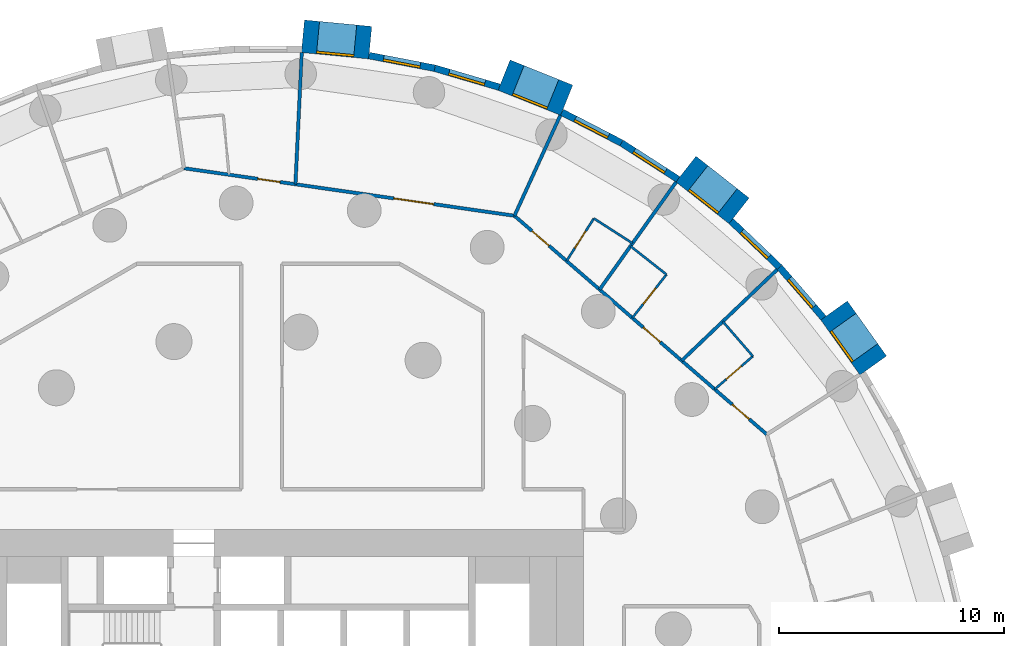
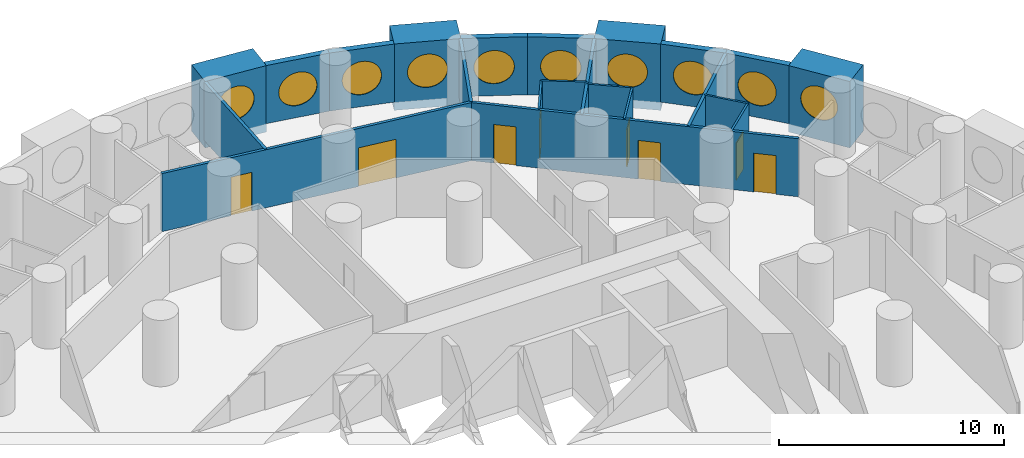
# One storey, part 10 of 12: 22 walls, 10 windows, 8 doors, 18 openings.
"""IFC4 building model written with IfcOpenShell, lengths in metres."""

from ifc_helpers import new_model, si_unit, direction, frame, frame_2d, origin, origin_2d, place, context, subcontext, project, spatial, rectangle, circle, extrude, material, layer, layer_set, type_object, element, fill, save


model = new_model("IFC4")

# Units and contexts
model_context = context("Model", 3, precision=1e-05, world=origin(), true_north=direction((0.0, 1.0)))
body_context = subcontext(model_context, "Body", "Model", "MODEL_VIEW")
ifc_project = project(units=[si_unit("LENGTHUNIT", "METRE"), si_unit("AREAUNIT", "SQUARE_METRE"), si_unit("VOLUMEUNIT", "CUBIC_METRE"), si_unit("PLANEANGLEUNIT", "RADIAN"), si_unit("MASSUNIT", "GRAM", prefix="KILO")], contexts=[model_context])

# Site, building, storey
site_placement = place(None, origin())
site = spatial("IfcSite", under=ifc_project, at=site_placement, CompositionType="ELEMENT")
building_placement = place(site_placement, origin())
building = spatial("IfcBuilding", under=site, at=building_placement, Name="Tracery Tower", CompositionType="ELEMENT")
storey_placement = place(building_placement, frame((0.0, 0.0, 31.800048828125)))
storey = spatial("IfcBuildingStorey", under=building, at=storey_placement, Name="L06", CompositionType="ELEMENT", Elevation=31.800048828125)

# Wall, opening, window
ifc_material_1 = material(Name="Precast concrete C50/60", Category="concrete")
ifc_layer_1 = layer(ifc_material_1, 1.449951171875)
ifc_layer_set_1 = layer_set([ifc_layer_1], Name="Deep-set bay unit 3000 x 3600, slab edge 450")
wall_type_1 = type_object("IfcWallType", Name="Deep-set bay unit 3000 x 3600, slab edge 450", PredefinedType="ELEMENTEDWALL", material=ifc_layer_set_1)
wall_1_placement = place(storey_placement, frame((26.866455078125, 17.2900390625, -0.449951171875), z_axis=(0.0, 0.0, 1.0), x_axis=(-0.580090570606, 0.814551981088, 0.0)))
wall_1 = element("IfcWall", 1, at=wall_1_placement, inside=storey, type_object=wall_type_1, Name="Deep-set bay unit 7 at L06", PredefinedType="ELEMENTEDWALL", context=body_context, shape_type="SweptSolid", body=[
    extrude(rectangle(XDim=3.0, YDim=1.449951171875, at=frame_2d((1.5, 0.0))), origin(), (0.0, 0.0, 1.0), 3.599853515625),
])
opening_1_placement = place(wall_1_placement, frame((1.5, 0.0, 2.0)))
opening_1 = element("IfcOpeningElement", 2, at=opening_1_placement, cuts=wall_1, Name="Opening WN1", PredefinedType="OPENING", context=body_context, shape_type="SweptSolid", body=[
    extrude(circle(Radius=0.9000244140625, at=origin_2d()), frame((0.0, 0.73486328125, 0.0), z_axis=(0.0, -1.0, 0.0), x_axis=(1.0, 0.0, 0.0)), (0.0, 0.0, 1.0), 1.469970703125),
])
ifc_material_2 = material(Name="Aluminium frame with tinted double glazing", Category="aluminium")
window_type = type_object("IfcWindowType", Name="Round window 1800", PartitioningType="SINGLE_PANEL", PredefinedType="WINDOW", material=ifc_material_2)
window_1_placement = place(opening_1_placement, origin())
window_1 = element("IfcWindow", 3, at=window_1_placement, inside=storey, type_object=window_type, Name="Round window 7 at L06", OverallHeight=1.800048828125, OverallWidth=1.800048828125, PartitioningType="SINGLE_PANEL", PredefinedType="WINDOW", context=body_context, shape_type="SweptSolid", body=[
    extrude(circle(Radius=0.9000244140625, at=origin_2d()), frame((0.0, 0.69482421875, 0.0), z_axis=(0.0, -1.0, 0.0), x_axis=(1.0, 0.0, 0.0)), (0.0, 0.0, 1.0), 0.10009765625),
])
fill(opening_1, window_1)

wall_2_placement = place(storey_placement, frame((20.906982421875, 24.15869140625, -0.449951171875), z_axis=(0.0, 0.0, 1.0), x_axis=(-0.786049992888, 0.618162930529, 0.0)))
wall_2 = element("IfcWall", 4, at=wall_2_placement, inside=storey, type_object=wall_type_1, Name="Deep-set bay unit 10 at L06", PredefinedType="ELEMENTEDWALL", context=body_context, shape_type="SweptSolid", body=[
    extrude(rectangle(XDim=3.0, YDim=1.449951171875, at=frame_2d((1.5, 0.0))), origin(), (0.0, 0.0, 1.0), 3.599853515625),
])
opening_2_placement = place(wall_2_placement, frame((1.5, 0.0, 2.0)))
opening_2 = element("IfcOpeningElement", 5, at=opening_2_placement, cuts=wall_2, Name="Opening WN1", PredefinedType="OPENING", context=body_context, shape_type="SweptSolid", body=[
    extrude(circle(Radius=0.9000244140625, at=origin_2d()), frame((0.0, 0.73486328125, 0.0), z_axis=(0.0, -1.0, 0.0), x_axis=(1.0, 0.0, 0.0)), (0.0, 0.0, 1.0), 1.469970703125),
])
window_2_placement = place(opening_2_placement, origin())
window_2 = element("IfcWindow", 6, at=window_2_placement, inside=storey, type_object=window_type, Name="Round window 10 at L06", OverallHeight=1.800048828125, OverallWidth=1.800048828125, PartitioningType="SINGLE_PANEL", PredefinedType="WINDOW", context=body_context, shape_type="SweptSolid", body=[
    extrude(circle(Radius=0.9000244140625, at=origin_2d()), frame((0.0, 0.69482421875, 0.0), z_axis=(0.0, -1.0, 0.0), x_axis=(1.0, 0.0, 0.0)), (0.0, 0.0, 1.0), 0.10009765625),
])
fill(opening_2, window_2)

wall_3_placement = place(storey_placement, frame((13.253662109375, 29.0703125, -0.449951171875), z_axis=(0.0, 0.0, 1.0), x_axis=(-0.928358776184, 0.371685327504, 0.0)))
wall_3 = element("IfcWall", 7, at=wall_3_placement, inside=storey, type_object=wall_type_1, Name="Deep-set bay unit 13 at L06", PredefinedType="ELEMENTEDWALL", context=body_context, shape_type="SweptSolid", body=[
    extrude(rectangle(XDim=2.999755859375, YDim=1.449951171875, at=frame_2d((1.5, 0.0))), origin(), (0.0, 0.0, 1.0), 3.599853515625),
])
opening_3_placement = place(wall_3_placement, frame((1.5, 0.0, 2.0)))
opening_3 = element("IfcOpeningElement", 8, at=opening_3_placement, cuts=wall_3, Name="Opening WN1", PredefinedType="OPENING", context=body_context, shape_type="SweptSolid", body=[
    extrude(circle(Radius=0.9000244140625, at=origin_2d()), frame((0.0, 0.73486328125, 0.0), z_axis=(0.0, -1.0, 0.0), x_axis=(1.0, 0.0, 0.0)), (0.0, 0.0, 1.0), 1.469970703125),
])
window_3_placement = place(opening_3_placement, origin())
window_3 = element("IfcWindow", 9, at=window_3_placement, inside=storey, type_object=window_type, Name="Round window 13 at L06", OverallHeight=1.800048828125, OverallWidth=1.800048828125, PartitioningType="SINGLE_PANEL", PredefinedType="WINDOW", context=body_context, shape_type="SweptSolid", body=[
    extrude(circle(Radius=0.9000244140625, at=origin_2d()), frame((0.0, 0.69482421875, 0.0), z_axis=(0.0, -1.0, 0.0), x_axis=(1.0, 0.0, 0.0)), (0.0, 0.0, 1.0), 0.10009765625),
])
fill(opening_3, window_3)

wall_4_placement = place(storey_placement, frame((4.52685546875, 31.626708984375, -0.449951171875), z_axis=(0.0, 0.0, 1.0), x_axis=(-0.995472768558, 0.09504718333, 0.0)))
wall_4 = element("IfcWall", 10, at=wall_4_placement, inside=storey, type_object=wall_type_1, Name="Deep-set bay unit 16 at L06", PredefinedType="ELEMENTEDWALL", context=body_context, shape_type="SweptSolid", body=[
    extrude(rectangle(XDim=3.000244140625, YDim=1.449951171875, at=frame_2d((1.5, 0.0))), origin(), (0.0, 0.0, 1.0), 3.599853515625),
])
opening_4_placement = place(wall_4_placement, frame((1.5, 0.0, 2.0)))
opening_4 = element("IfcOpeningElement", 11, at=opening_4_placement, cuts=wall_4, Name="Opening WN1", PredefinedType="OPENING", context=body_context, shape_type="SweptSolid", body=[
    extrude(circle(Radius=0.9000244140625, at=origin_2d()), frame((0.0, 0.73486328125, 0.0), z_axis=(0.0, -1.0, 0.0), x_axis=(1.0, 0.0, 0.0)), (0.0, 0.0, 1.0), 1.469970703125),
])
window_4_placement = place(opening_4_placement, origin())
window_4 = element("IfcWindow", 12, at=window_4_placement, inside=storey, type_object=window_type, Name="Round window 16 at L06", OverallHeight=1.800048828125, OverallWidth=1.800048828125, PartitioningType="SINGLE_PANEL", PredefinedType="WINDOW", context=body_context, shape_type="SweptSolid", body=[
    extrude(circle(Radius=0.9000244140625, at=origin_2d()), frame((0.0, 0.69482421875, 0.0), z_axis=(0.0, -1.0, 0.0), x_axis=(1.0, 0.0, 0.0)), (0.0, 0.0, 1.0), 0.10009765625),
])
fill(opening_4, window_4)

ifc_material_3 = material(Name="Precast concrete C50/60", Category="concrete")
ifc_layer_2 = layer(ifc_material_3, 0.300048828125)
ifc_layer_set_2 = layer_set([ifc_layer_2], Name="Facade panel 3000 x 3150")
wall_type_2 = type_object("IfcWallType", Name="Facade panel 3000 x 3150", PredefinedType="SOLIDWALL", material=ifc_layer_set_2)
wall_5_placement = place(storey_placement, frame((24.657958984375, 19.39892578125, 0.0), z_axis=(0.0, 0.0, 1.0), x_axis=(-0.654830712471, 0.755775587066, 0.0)))
wall_5 = element("IfcWall", 13, at=wall_5_placement, inside=storey, type_object=wall_type_2, Name="Facade panel 8 at L06", PredefinedType="SOLIDWALL", context=body_context, shape_type="SweptSolid", body=[
    extrude(rectangle(XDim=2.979736328125, YDim=0.300048828125, at=frame_2d((1.48974609375, 0.0))), origin(), (0.0, 0.0, 1.0), 3.14990234375),
])
opening_5_placement = place(wall_5_placement, frame((1.48974609375, 0.0, 1.5498046875)))
opening_5 = element("IfcOpeningElement", 14, at=opening_5_placement, cuts=wall_5, Name="Opening WN1", PredefinedType="OPENING", context=body_context, shape_type="SweptSolid", body=[
    extrude(circle(Radius=0.9000244140625, at=origin_2d()), frame((0.0, 0.159912109375, 0.0), z_axis=(0.0, -1.0, 0.0), x_axis=(1.0, 0.0, 0.0)), (0.0, 0.0, 1.0), 0.320068359375),
])
window_5_placement = place(opening_5_placement, origin())
window_5 = element("IfcWindow", 15, at=window_5_placement, inside=storey, type_object=window_type, Name="Round window 8 at L06", OverallHeight=1.800048828125, OverallWidth=1.800048828125, PartitioningType="SINGLE_PANEL", PredefinedType="WINDOW", context=body_context, shape_type="SweptSolid", body=[
    extrude(circle(Radius=0.9000244140625, at=origin_2d()), frame((0.0, 0.1201171875, 0.0), z_axis=(0.0, -1.0, 0.0), x_axis=(1.0, 0.0, 0.0)), (0.0, 0.0, 1.0), 0.10009765625),
])
fill(opening_5, window_5)

wall_6_placement = place(storey_placement, frame((22.706787109375, 21.65087890625, 0.0), z_axis=(0.0, 0.0, 1.0), x_axis=(-0.723744206617, 0.690068346896, 0.0)))
wall_6 = element("IfcWall", 16, at=wall_6_placement, inside=storey, type_object=wall_type_2, Name="Facade panel 9 at L06", PredefinedType="SOLIDWALL", context=body_context, shape_type="SweptSolid", body=[
    extrude(rectangle(XDim=2.979736328125, YDim=0.300048828125, at=frame_2d((1.48974609375, 0.0))), origin(), (0.0, 0.0, 1.0), 3.14990234375),
])
opening_6_placement = place(wall_6_placement, frame((1.48974609375, 0.0, 1.5498046875)))
opening_6 = element("IfcOpeningElement", 17, at=opening_6_placement, cuts=wall_6, Name="Opening WN1", PredefinedType="OPENING", context=body_context, shape_type="SweptSolid", body=[
    extrude(circle(Radius=0.9000244140625, at=origin_2d()), frame((0.0, 0.159912109375, 0.0), z_axis=(0.0, -1.0, 0.0), x_axis=(1.0, 0.0, 0.0)), (0.0, 0.0, 1.0), 0.320068359375),
])
window_6_placement = place(opening_6_placement, origin())
window_6 = element("IfcWindow", 18, at=window_6_placement, inside=storey, type_object=window_type, Name="Round window 9 at L06", OverallHeight=1.800048828125, OverallWidth=1.800048828125, PartitioningType="SINGLE_PANEL", PredefinedType="WINDOW", context=body_context, shape_type="SweptSolid", body=[
    extrude(circle(Radius=0.9000244140625, at=origin_2d()), frame((0.0, 0.1201171875, 0.0), z_axis=(0.0, -1.0, 0.0), x_axis=(1.0, 0.0, 0.0)), (0.0, 0.0, 1.0), 0.10009765625),
])
fill(opening_6, window_6)

wall_7_placement = place(storey_placement, frame((18.19384765625, 25.56005859375, 0.0), z_axis=(0.0, 0.0, 1.0), x_axis=(-0.84122372879, 0.540687190639, 0.0)))
wall_7 = element("IfcWall", 19, at=wall_7_placement, inside=storey, type_object=wall_type_2, Name="Facade panel 11 at L06", PredefinedType="SOLIDWALL", context=body_context, shape_type="SweptSolid", body=[
    extrude(rectangle(XDim=2.979736328125, YDim=0.300048828125, at=frame_2d((1.48974609375, 0.0))), origin(), (0.0, 0.0, 1.0), 3.14990234375),
])
opening_7_placement = place(wall_7_placement, frame((1.48974609375, 0.0, 1.5498046875)))
opening_7 = element("IfcOpeningElement", 20, at=opening_7_placement, cuts=wall_7, Name="Opening WN1", PredefinedType="OPENING", context=body_context, shape_type="SweptSolid", body=[
    extrude(circle(Radius=0.9000244140625, at=origin_2d()), frame((0.0, 0.159912109375, 0.0), z_axis=(0.0, -1.0, 0.0), x_axis=(1.0, 0.0, 0.0)), (0.0, 0.0, 1.0), 0.320068359375),
])
window_7_placement = place(opening_7_placement, origin())
window_7 = element("IfcWindow", 21, at=window_7_placement, inside=storey, type_object=window_type, Name="Round window 11 at L06", OverallHeight=1.800048828125, OverallWidth=1.800048828125, PartitioningType="SINGLE_PANEL", PredefinedType="WINDOW", context=body_context, shape_type="SweptSolid", body=[
    extrude(circle(Radius=0.9000244140625, at=origin_2d()), frame((0.0, 0.1201171875, 0.0), z_axis=(0.0, -1.0, 0.0), x_axis=(1.0, 0.0, 0.0)), (0.0, 0.0, 1.0), 0.10009765625),
])
fill(opening_7, window_7)

wall_8_placement = place(storey_placement, frame((15.687255859375, 27.171142578125, 0.0), z_axis=(0.0, 0.0, 1.0), x_axis=(-0.888853225096, 0.4581920386, 0.0)))
wall_8 = element("IfcWall", 22, at=wall_8_placement, inside=storey, type_object=wall_type_2, Name="Facade panel 12 at L06", PredefinedType="SOLIDWALL", context=body_context, shape_type="SweptSolid", body=[
    extrude(rectangle(XDim=2.9794921875, YDim=0.300048828125, at=frame_2d((1.48974609375, 0.0))), origin(), (0.0, 0.0, 1.0), 3.14990234375),
])
opening_8_placement = place(wall_8_placement, frame((1.48974609375, 0.0, 1.5498046875)))
opening_8 = element("IfcOpeningElement", 23, at=opening_8_placement, cuts=wall_8, Name="Opening WN1", PredefinedType="OPENING", context=body_context, shape_type="SweptSolid", body=[
    extrude(circle(Radius=0.9000244140625, at=origin_2d()), frame((0.0, 0.159912109375, 0.0), z_axis=(0.0, -1.0, 0.0), x_axis=(1.0, 0.0, 0.0)), (0.0, 0.0, 1.0), 0.320068359375),
])
window_8_placement = place(opening_8_placement, origin())
window_8 = element("IfcWindow", 24, at=window_8_placement, inside=storey, type_object=window_type, Name="Round window 12 at L06", OverallHeight=1.800048828125, OverallWidth=1.800048828125, PartitioningType="SINGLE_PANEL", PredefinedType="WINDOW", context=body_context, shape_type="SweptSolid", body=[
    extrude(circle(Radius=0.9000244140625, at=origin_2d()), frame((0.0, 0.1201171875, 0.0), z_axis=(0.0, -1.0, 0.0), x_axis=(1.0, 0.0, 0.0)), (0.0, 0.0, 1.0), 0.10009765625),
])
fill(opening_8, window_8)

wall_9_placement = place(storey_placement, frame((10.255859375, 29.650634765625, 0.0), z_axis=(0.0, 0.0, 1.0), x_axis=(-0.959507586834, 0.28168278401, 0.0)))
wall_9 = element("IfcWall", 25, at=wall_9_placement, inside=storey, type_object=wall_type_2, Name="Facade panel 14 at L06", PredefinedType="SOLIDWALL", context=body_context, shape_type="SweptSolid", body=[
    extrude(rectangle(XDim=2.979736328125, YDim=0.300048828125, at=frame_2d((1.48974609375, 0.0))), origin(), (0.0, 0.0, 1.0), 3.14990234375),
])
opening_9_placement = place(wall_9_placement, frame((1.48974609375, 0.0, 1.5498046875)))
opening_9 = element("IfcOpeningElement", 26, at=opening_9_placement, cuts=wall_9, Name="Opening WN1", PredefinedType="OPENING", context=body_context, shape_type="SweptSolid", body=[
    extrude(circle(Radius=0.9000244140625, at=origin_2d()), frame((0.0, 0.159912109375, 0.0), z_axis=(0.0, -1.0, 0.0), x_axis=(1.0, 0.0, 0.0)), (0.0, 0.0, 1.0), 0.320068359375),
])
window_9_placement = place(opening_9_placement, origin())
window_9 = element("IfcWindow", 27, at=window_9_placement, inside=storey, type_object=window_type, Name="Round window 14 at L06", OverallHeight=1.800048828125, OverallWidth=1.800048828125, PartitioningType="SINGLE_PANEL", PredefinedType="WINDOW", context=body_context, shape_type="SweptSolid", body=[
    extrude(circle(Radius=0.9000244140625, at=origin_2d()), frame((0.0, 0.1201171875, 0.0), z_axis=(0.0, -1.0, 0.0), x_axis=(1.0, 0.0, 0.0)), (0.0, 0.0, 1.0), 0.10009765625),
])
fill(opening_9, window_9)

wall_10_placement = place(storey_placement, frame((7.396728515625, 30.489990234375, 0.0), z_axis=(0.0, 0.0, 1.0), x_axis=(-0.981924535406, 0.189272836848, 0.0)))
wall_10 = element("IfcWall", 28, at=wall_10_placement, inside=storey, type_object=wall_type_2, Name="Facade panel 15 at L06", PredefinedType="SOLIDWALL", context=body_context, shape_type="SweptSolid", body=[
    extrude(rectangle(XDim=2.979736328125, YDim=0.300048828125, at=frame_2d((1.48974609375, 0.0))), origin(), (0.0, 0.0, 1.0), 3.14990234375),
])
opening_10_placement = place(wall_10_placement, frame((1.48974609375, 0.0, 1.5498046875)))
opening_10 = element("IfcOpeningElement", 29, at=opening_10_placement, cuts=wall_10, Name="Opening WN1", PredefinedType="OPENING", context=body_context, shape_type="SweptSolid", body=[
    extrude(circle(Radius=0.9000244140625, at=origin_2d()), frame((0.0, 0.159912109375, 0.0), z_axis=(0.0, -1.0, 0.0), x_axis=(1.0, 0.0, 0.0)), (0.0, 0.0, 1.0), 0.320068359375),
])
window_10_placement = place(opening_10_placement, origin())
window_10 = element("IfcWindow", 30, at=window_10_placement, inside=storey, type_object=window_type, Name="Round window 15 at L06", OverallHeight=1.800048828125, OverallWidth=1.800048828125, PartitioningType="SINGLE_PANEL", PredefinedType="WINDOW", context=body_context, shape_type="SweptSolid", body=[
    extrude(circle(Radius=0.9000244140625, at=origin_2d()), frame((0.0, 0.1201171875, 0.0), z_axis=(0.0, -1.0, 0.0), x_axis=(1.0, 0.0, 0.0)), (0.0, 0.0, 1.0), 0.10009765625),
])
fill(opening_10, window_10)

# Wall, opening, door
ifc_material_4 = material(Name="Plasterboard on steel studs", Category="steel")
ifc_layer_3 = layer(ifc_material_4, 0.10009765625)
ifc_layer_set_3 = layer_set([ifc_layer_3], Name="Partition 100 wet wall")
wall_type_3 = type_object("IfcWallType", Name="Partition 100 wet wall", PredefinedType="PARTITIONING", material=ifc_layer_set_3)
wall_11_placement = place(storey_placement, frame((19.825927734375, 16.23388671875, 0.0), z_axis=(0.0, 0.0, 1.0), x_axis=(0.755703447798, 0.654913963042, 0.0)))
wall_11 = element("IfcWall", 31, at=wall_11_placement, inside=storey, type_object=wall_type_3, Name="Wet wall RA1-068", PredefinedType="PARTITIONING", context=body_context, shape_type="SweptSolid", body=[
    extrude(rectangle(XDim=2.242919921875, YDim=0.10009765625, at=frame_2d((1.12158203125, 0.0))), origin(), (0.0, 0.0, 1.0), 3.14990234375),
])
opening_11_placement = place(wall_11_placement, frame((0.6708984375, 0.0, 0.0)))
opening_11 = element("IfcOpeningElement", 32, at=opening_11_placement, cuts=wall_11, Name="Opening RA1-15", PredefinedType="OPENING", context=body_context, shape_type="SweptSolid", body=[
    extrude(rectangle(XDim=0.89990234375, YDim=2.0400390625, at=frame_2d((0.449951171875, 1.02001953125))), frame((0.0, 0.050048828125, 0.0), z_axis=(0.0, -1.0, 0.0), x_axis=(1.0, 0.0, 0.0)), (0.0, 0.0, 1.0), 0.10009765625),
])
ifc_material_5 = material(Name="Timber door leaf", Category="wood")
door_type_1 = type_object("IfcDoorType", Name="Door en-suite 900", OperationType="NOTDEFINED", PredefinedType="DOOR", material=ifc_material_5)
door_1_placement = place(opening_11_placement, origin())
door_1 = element("IfcDoor", 33, at=door_1_placement, inside=storey, type_object=door_type_1, Name="En-suite door RA1-15", OperationType="SINGLE_SWING_LEFT", OverallHeight=2.0400390625, OverallWidth=0.89990234375, PredefinedType="DOOR", context=body_context, shape_type="SweptSolid", body=[
    extrude(rectangle(XDim=0.89990234375, YDim=2.0400390625, at=frame_2d((0.449951171875, 1.02001953125))), frame((0.0, 0.02490234375, 0.0), z_axis=(0.0, -1.0, 0.0), x_axis=(1.0, 0.0, 0.0)), (0.0, 0.0, 1.0), 0.050048828125),
])
fill(opening_11, door_1)

# Wall
wall_12_placement = place(storey_placement, frame((20.18408203125, 19.2451171875, 0.0), z_axis=(0.0, 0.0, 1.0), x_axis=(0.655017058368, -0.755614090159, 0.0)))
element("IfcWall", 34, at=wall_12_placement, inside=storey, type_object=wall_type_3, Name="Wet wall RA1-069", PredefinedType="PARTITIONING", context=body_context, shape_type="SweptSolid", body=[
    extrude(rectangle(XDim=2.041015625, YDim=0.10009765625, at=frame_2d((1.0205078125, 0.0))), origin(), (0.0, 0.0, 1.0), 3.14990234375),
])

# Wall, opening, door
wall_13_placement = place(storey_placement, frame((16.16796875, 19.404052734375, 0.0), z_axis=(0.0, 0.0, 1.0), x_axis=(0.618142414415, 0.786066126672, 0.0)))
wall_13 = element("IfcWall", 35, at=wall_13_placement, inside=storey, type_object=wall_type_3, Name="Wet wall RA1-071", PredefinedType="PARTITIONING", context=body_context, shape_type="SweptSolid", body=[
    extrude(rectangle(XDim=2.45263671875, YDim=0.10009765625, at=frame_2d((1.226318359375, 0.0))), origin(), (0.0, 0.0, 1.0), 3.14990234375),
])
opening_12_placement = place(wall_13_placement, frame((0.77587890625, 0.0, 0.0)))
opening_12 = element("IfcOpeningElement", 36, at=opening_12_placement, cuts=wall_13, Name="Opening RA1-17", PredefinedType="OPENING", context=body_context, shape_type="SweptSolid", body=[
    extrude(rectangle(XDim=0.89990234375, YDim=2.0400390625, at=frame_2d((0.449951171875, 1.02001953125))), frame((0.0, 0.050048828125, 0.0), z_axis=(0.0, -1.0, 0.0), x_axis=(1.0, 0.0, 0.0)), (0.0, 0.0, 1.0), 0.10009765625),
])
door_2_placement = place(opening_12_placement, origin())
door_2 = element("IfcDoor", 37, at=door_2_placement, inside=storey, type_object=door_type_1, Name="En-suite door RA1-17", OperationType="SINGLE_SWING_LEFT", OverallHeight=2.0400390625, OverallWidth=0.89990234375, PredefinedType="DOOR", context=body_context, shape_type="SweptSolid", body=[
    extrude(rectangle(XDim=0.89990234375, YDim=2.0400390625, at=frame_2d((0.449951171875, 1.02001953125))), frame((0.0, 0.02490234375, 0.0), z_axis=(0.0, -1.0, 0.0), x_axis=(1.0, 0.0, 0.0)), (0.0, 0.0, 1.0), 0.050048828125),
])
fill(opening_12, door_2)

# Walls
wall_14_placement = place(storey_placement, frame((16.0859375, 22.589111328125, 0.0), z_axis=(0.0, 0.0, 1.0), x_axis=(0.785984904201, -0.618245687707, 0.0)))
element("IfcWall", 38, at=wall_14_placement, inside=storey, type_object=wall_type_3, Name="Wet wall RA1-072", PredefinedType="PARTITIONING", context=body_context, shape_type="SweptSolid", body=[
    extrude(rectangle(XDim=2.033203125, YDim=0.10009765625, at=frame_2d((1.0166015625, 0.0))), origin(), (0.0, 0.0, 1.0), 3.14990234375),
])
wall_15_placement = place(storey_placement, frame((14.4599609375, 23.821044921875, 0.0), z_axis=(0.0, 0.0, 1.0), x_axis=(0.841135728185, -0.540824081168, 0.0)))
element("IfcWall", 39, at=wall_15_placement, inside=storey, type_object=wall_type_3, Name="Wet wall RA1-074", PredefinedType="PARTITIONING", context=body_context, shape_type="SweptSolid", body=[
    extrude(rectangle(XDim=2.041259765625, YDim=0.10009765625, at=frame_2d((1.0205078125, 0.0))), origin(), (0.0, 0.0, 1.0), 3.14990234375),
])

# Wall, opening, door
wall_16_placement = place(storey_placement, frame((13.248046875, 21.93505859375, 0.0), z_axis=(0.0, 0.0, 1.0), x_axis=(0.540597960994, 0.841281073464, 0.0)))
wall_16 = element("IfcWall", 40, at=wall_16_placement, inside=storey, type_object=wall_type_3, Name="Wet wall RA1-075", PredefinedType="PARTITIONING", context=body_context, shape_type="SweptSolid", body=[
    extrude(rectangle(XDim=2.24169921875, YDim=0.10009765625, at=frame_2d((1.120849609375, 0.0))), origin(), (0.0, 0.0, 1.0), 3.14990234375),
])
opening_13_placement = place(wall_16_placement, frame((0.6708984375, 0.0, 0.0)))
opening_13 = element("IfcOpeningElement", 41, at=opening_13_placement, cuts=wall_16, Name="Opening RA1-19", PredefinedType="OPENING", context=body_context, shape_type="SweptSolid", body=[
    extrude(rectangle(XDim=0.89990234375, YDim=2.0400390625, at=frame_2d((0.449951171875, 1.02001953125))), frame((0.0, 0.050048828125, 0.0), z_axis=(0.0, -1.0, 0.0), x_axis=(1.0, 0.0, 0.0)), (0.0, 0.0, 1.0), 0.10009765625),
])
door_3_placement = place(opening_13_placement, origin())
door_3 = element("IfcDoor", 42, at=door_3_placement, inside=storey, type_object=door_type_1, Name="En-suite door RA1-19", OperationType="SINGLE_SWING_RIGHT", OverallHeight=2.0400390625, OverallWidth=0.89990234375, PredefinedType="DOOR", context=body_context, shape_type="SweptSolid", body=[
    extrude(rectangle(XDim=0.89990234375, YDim=2.0400390625, at=frame_2d((0.449951171875, 1.02001953125))), frame((0.0, 0.02490234375, 0.0), z_axis=(0.0, -1.0, 0.0), x_axis=(1.0, 0.0, 0.0)), (0.0, 0.0, 1.0), 0.050048828125),
])
fill(opening_13, door_3)

# Walls
ifc_material_6 = material(Name="Plasterboard on steel studs", Category="steel")
ifc_layer_4 = layer(ifc_material_6, 0.14990234375)
ifc_layer_set_4 = layer_set([ifc_layer_4], Name="Partition 150 acoustic unit wall")
wall_type_4 = type_object("IfcWallType", Name="Partition 150 acoustic unit wall", PredefinedType="PARTITIONING", material=ifc_layer_set_4)
wall_17_placement = place(storey_placement, frame((18.359619140625, 17.50537109375, 0.0), z_axis=(0.0, 0.0, 1.0), x_axis=(0.723686703731, 0.690128650937, 0.0)))
element("IfcWall", 43, at=wall_17_placement, inside=storey, type_object=wall_type_4, Name="Unit wall RA1-070", PredefinedType="PARTITIONING", context=body_context, shape_type="SweptSolid", body=[
    extrude(rectangle(XDim=5.8564453125, YDim=0.14990234375, at=frame_2d((2.92822265625, 0.0))), origin(), (0.0, 0.0, 1.0), 3.14990234375),
])
wall_18_placement = place(storey_placement, frame((14.71533203125, 20.663818359375, 0.0), z_axis=(0.0, 0.0, 1.0), x_axis=(0.57995989616, 0.814645026282, 0.0)))
element("IfcWall", 44, at=wall_18_placement, inside=storey, type_object=wall_type_4, Name="Unit wall RA1-073", PredefinedType="PARTITIONING", context=body_context, shape_type="SweptSolid", body=[
    extrude(rectangle(XDim=5.85693359375, YDim=0.14990234375, at=frame_2d((2.928466796875, 0.0))), origin(), (0.0, 0.0, 1.0), 3.14990234375),
])
wall_19_placement = place(storey_placement, frame((10.93310546875, 23.93994140625, 0.0), z_axis=(0.0, 0.0, 1.0), x_axis=(0.415346954488, 0.909663073559, 0.0)))
element("IfcWall", 45, at=wall_19_placement, inside=storey, type_object=wall_type_4, Name="Unit wall RA1-076", PredefinedType="PARTITIONING", context=body_context, shape_type="SweptSolid", body=[
    extrude(rectangle(XDim=4.90625, YDim=0.14990234375, at=frame_2d((2.453125, 0.0))), origin(), (0.0, 0.0, 1.0), 3.14990234375),
])
wall_20_placement = place(storey_placement, frame((1.20703125, 25.339111328125, 0.0), z_axis=(0.0, 0.0, 1.0), x_axis=(0.047648334785, 0.998864173045, 0.0)))
element("IfcWall", 46, at=wall_20_placement, inside=storey, type_object=wall_type_4, Name="Unit wall RA1-077", PredefinedType="PARTITIONING", context=body_context, shape_type="SweptSolid", body=[
    extrude(rectangle(XDim=5.8564453125, YDim=0.14990234375, at=frame_2d((2.92822265625, 0.0))), origin(), (0.0, 0.0, 1.0), 3.14990234375),
])

# Wall, openings, doors
ifc_material_7 = material(Name="Plasterboard on steel studs", Category="steel")
ifc_layer_5 = layer(ifc_material_7, 0.14990234375)
ifc_layer_set_5 = layer_set([ifc_layer_5], Name="Partition 150 corridor wall")
wall_type_5 = type_object("IfcWallType", Name="Partition 150 corridor wall", PredefinedType="PARTITIONING", material=ifc_layer_set_5)
wall_21_placement = place(storey_placement, frame((10.93212890625, 23.93896484375, 0.0), z_axis=(0.0, 0.0, 1.0), x_axis=(0.755838982892, -0.654757536757, 0.0)))
wall_21 = element("IfcWall", 47, at=wall_21_placement, inside=storey, type_object=wall_type_5, Name="Corridor wall RA1-021", PredefinedType="PARTITIONING", context=body_context, shape_type="SweptSolid", body=[
    extrude(rectangle(XDim=14.829833984375, YDim=0.14990234375, at=frame_2d((7.4150390625, 0.0))), origin(), (0.0, 0.0, 1.0), 3.14990234375),
])
opening_14_placement = place(wall_21_placement, frame((12.7958984375, 0.0, 0.0)))
opening_14 = element("IfcOpeningElement", 48, at=opening_14_placement, cuts=wall_21, Name="Opening RA1-16", PredefinedType="OPENING", context=body_context, shape_type="SweptSolid", body=[
    extrude(rectangle(XDim=1.0, YDim=2.10009765625, at=frame_2d((0.5, 1.050048828125))), frame((0.0, 0.074951171875, 0.0), z_axis=(0.0, -1.0, 0.0), x_axis=(1.0, 0.0, 0.0)), (0.0, 0.0, 1.0), 0.14990234375),
])
opening_15_placement = place(wall_21_placement, frame((7.571533203125, 0.0, 0.0)))
opening_15 = element("IfcOpeningElement", 49, at=opening_15_placement, cuts=wall_21, Name="Opening RA1-18", PredefinedType="OPENING", context=body_context, shape_type="SweptSolid", body=[
    extrude(rectangle(XDim=1.0, YDim=2.10009765625, at=frame_2d((0.5, 1.050048828125))), frame((0.0, 0.074951171875, 0.0), z_axis=(0.0, -1.0, 0.0), x_axis=(1.0, 0.0, 0.0)), (0.0, 0.0, 1.0), 0.14990234375),
])
opening_16_placement = place(wall_21_placement, frame((1.032958984375, 0.0, 0.0)))
opening_16 = element("IfcOpeningElement", 50, at=opening_16_placement, cuts=wall_21, Name="Opening RA1-20", PredefinedType="OPENING", context=body_context, shape_type="SweptSolid", body=[
    extrude(rectangle(XDim=1.0, YDim=2.10009765625, at=frame_2d((0.5, 1.050048828125))), frame((0.0, 0.074951171875, 0.0), z_axis=(0.0, -1.0, 0.0), x_axis=(1.0, 0.0, 0.0)), (0.0, 0.0, 1.0), 0.14990234375),
])
ifc_material_8 = material(Name="Timber door leaf", Category="wood")
door_type_2 = type_object("IfcDoorType", Name="Door unit entrance 1000", OperationType="NOTDEFINED", PredefinedType="DOOR", material=ifc_material_8)
door_4_placement = place(opening_14_placement, origin())
door_4 = element("IfcDoor", 51, at=door_4_placement, inside=storey, type_object=door_type_2, Name="Unit entrance door RA1-16", OperationType="SINGLE_SWING_LEFT", OverallHeight=2.10009765625, OverallWidth=1.0, PredefinedType="DOOR", context=body_context, shape_type="SweptSolid", body=[
    extrude(rectangle(XDim=1.0, YDim=2.10009765625, at=frame_2d((0.5, 1.050048828125))), frame((0.0, 0.02490234375, 0.0), z_axis=(0.0, -1.0, 0.0), x_axis=(1.0, 0.0, 0.0)), (0.0, 0.0, 1.0), 0.050048828125),
])
fill(opening_14, door_4)
door_5_placement = place(opening_15_placement, origin())
door_5 = element("IfcDoor", 52, at=door_5_placement, inside=storey, type_object=door_type_2, Name="Unit entrance door RA1-18", OperationType="SINGLE_SWING_LEFT", OverallHeight=2.10009765625, OverallWidth=1.0, PredefinedType="DOOR", context=body_context, shape_type="SweptSolid", body=[
    extrude(rectangle(XDim=1.0, YDim=2.10009765625, at=frame_2d((0.5, 1.050048828125))), frame((0.0, 0.02490234375, 0.0), z_axis=(0.0, -1.0, 0.0), x_axis=(1.0, 0.0, 0.0)), (0.0, 0.0, 1.0), 0.050048828125),
])
fill(opening_15, door_5)
door_6_placement = place(opening_16_placement, origin())
door_6 = element("IfcDoor", 53, at=door_6_placement, inside=storey, type_object=door_type_2, Name="Unit entrance door RA1-20", OperationType="SINGLE_SWING_LEFT", OverallHeight=2.10009765625, OverallWidth=1.0, PredefinedType="DOOR", context=body_context, shape_type="SweptSolid", body=[
    extrude(rectangle(XDim=1.0, YDim=2.10009765625, at=frame_2d((0.5, 1.050048828125))), frame((0.0, 0.02490234375, 0.0), z_axis=(0.0, -1.0, 0.0), x_axis=(1.0, 0.0, 0.0)), (0.0, 0.0, 1.0), 0.050048828125),
])
fill(opening_16, door_6)

wall_22_placement = place(storey_placement, frame((-3.74609375, 26.050537109375, 0.0), z_axis=(0.0, 0.0, 1.0), x_axis=(0.989821009857, -0.142317843033, 0.0)))
wall_22 = element("IfcWall", 54, at=wall_22_placement, inside=storey, type_object=wall_type_5, Name="Corridor wall RA1-034", PredefinedType="PARTITIONING", context=body_context, shape_type="SweptSolid", body=[
    extrude(rectangle(XDim=14.830078125, YDim=0.14990234375, at=frame_2d((7.4150390625, 0.0))), origin(), (0.0, 0.0, 1.0), 3.14990234375),
])
opening_17_placement = place(wall_22_placement, frame((9.4150390625, 0.0, 0.0)))
opening_17 = element("IfcOpeningElement", 55, at=opening_17_placement, cuts=wall_22, Name="Opening RA1-21", PredefinedType="OPENING", context=body_context, shape_type="SweptSolid", body=[
    extrude(rectangle(XDim=1.800048828125, YDim=2.10009765625, at=frame_2d((0.89990234375, 1.050048828125))), frame((0.0, 0.074951171875, 0.0), z_axis=(0.0, -1.0, 0.0), x_axis=(1.0, 0.0, 0.0)), (0.0, 0.0, 1.0), 0.14990234375),
])
opening_18_placement = place(wall_22_placement, frame((3.313720703125, 0.0, 0.0)))
opening_18 = element("IfcOpeningElement", 56, at=opening_18_placement, cuts=wall_22, Name="Opening RA1-23", PredefinedType="OPENING", context=body_context, shape_type="SweptSolid", body=[
    extrude(rectangle(XDim=1.0, YDim=2.10009765625, at=frame_2d((0.5, 1.050048828125))), frame((0.0, 0.074951171875, 0.0), z_axis=(0.0, -1.0, 0.0), x_axis=(1.0, 0.0, 0.0)), (0.0, 0.0, 1.0), 0.14990234375),
])
ifc_material_9 = material(Name="Timber door leaf", Category="wood")
door_type_3 = type_object("IfcDoorType", Name="Door double lounge 1800", OperationType="NOTDEFINED", PredefinedType="DOOR", material=ifc_material_9)
door_7_placement = place(opening_17_placement, origin())
door_7 = element("IfcDoor", 57, at=door_7_placement, inside=storey, type_object=door_type_3, Name="Double lounge door RA1-21", OperationType="DOUBLE_DOOR_SINGLE_SWING", OverallHeight=2.10009765625, OverallWidth=1.800048828125, PredefinedType="DOOR", context=body_context, shape_type="SweptSolid", body=[
    extrude(rectangle(XDim=1.800048828125, YDim=2.10009765625, at=frame_2d((0.89990234375, 1.050048828125))), frame((0.0, 0.02490234375, 0.0), z_axis=(0.0, -1.0, 0.0), x_axis=(1.0, 0.0, 0.0)), (0.0, 0.0, 1.0), 0.050048828125),
])
fill(opening_17, door_7)
door_8_placement = place(opening_18_placement, origin())
door_8 = element("IfcDoor", 58, at=door_8_placement, inside=storey, type_object=door_type_2, Name="Unit entrance door RA1-23", OperationType="SINGLE_SWING_RIGHT", OverallHeight=2.10009765625, OverallWidth=1.0, PredefinedType="DOOR", context=body_context, shape_type="SweptSolid", body=[
    extrude(rectangle(XDim=1.0, YDim=2.10009765625, at=frame_2d((0.5, 1.050048828125))), frame((0.0, 0.02490234375, 0.0), z_axis=(0.0, -1.0, 0.0), x_axis=(1.0, 0.0, 0.0)), (0.0, 0.0, 1.0), 0.050048828125),
])
fill(opening_18, door_8)

save(model, "model.ifc")
